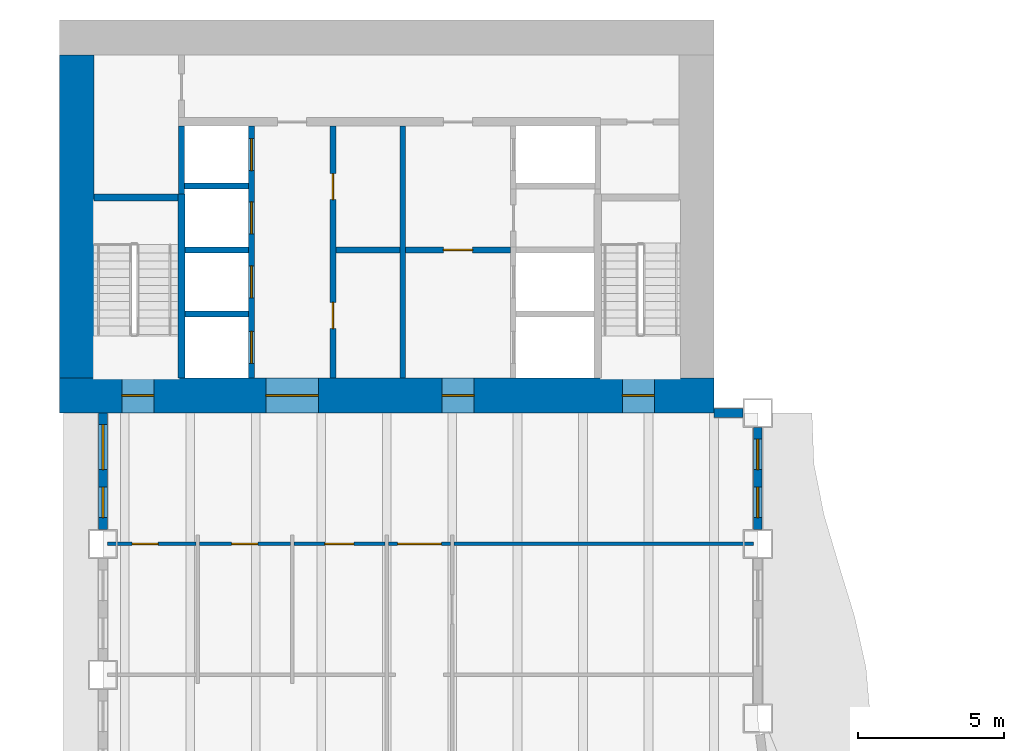
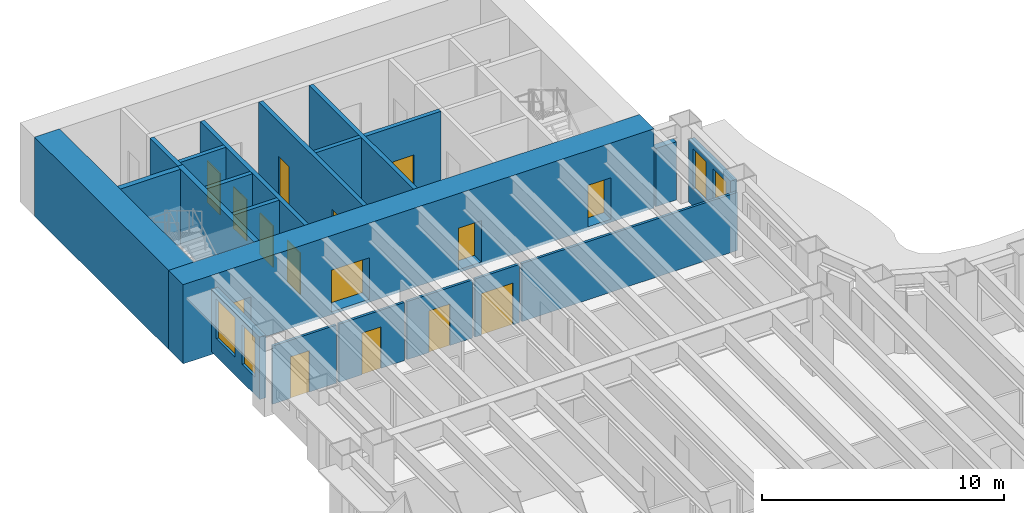
# One storey, part 8 of 16: 21 walls, 15 doors, 4 windows, 19 openings.
"""IFC4 building model written with IfcOpenShell, lengths in metres."""

from ifc_helpers import new_model, si_unit, direction, frame, frame_2d, origin, place, context, subcontext, project, spatial, rectangle, extrude, material, layer, layer_set, type_object, element, fill, save


model = new_model("IFC4")

# Units and contexts
model_context = context("Model", 3, precision=1e-05, world=origin(), true_north=direction((0.0, 1.0)))
body_context = subcontext(model_context, "Body", "Model", "MODEL_VIEW")
ifc_project = project(units=[si_unit("LENGTHUNIT", "METRE"), si_unit("AREAUNIT", "SQUARE_METRE"), si_unit("VOLUMEUNIT", "CUBIC_METRE"), si_unit("PLANEANGLEUNIT", "RADIAN"), si_unit("MASSUNIT", "GRAM", prefix="KILO")], contexts=[model_context])

# Site, building, storey
site_placement = place(None, origin())
site = spatial("IfcSite", under=ifc_project, at=site_placement, CompositionType="ELEMENT")
building_placement = place(site_placement, origin())
building = spatial("IfcBuilding", under=site, at=building_placement, Name="Sennacour Bend Tower", CompositionType="ELEMENT")
storey_placement = place(building_placement, frame((0.0, 0.0, 83.0)))
storey = spatial("IfcBuildingStorey", under=building, at=storey_placement, Name="L18", CompositionType="ELEMENT", Elevation=83.0)

# Wall, openings, doors
ifc_material_1 = material(Name="Concrete C80/95", Category="concrete")
ifc_layer_1 = layer(ifc_material_1, 1.199951171875, Name="Concrete C80/95", Category="concrete")
ifc_layer_set_1 = layer_set([ifc_layer_1], Name="Concrete C80/95")
wall_type_1 = type_object("IfcWallType", Name="Core wall 1200 C80/95", PredefinedType="SHEAR", material=ifc_layer_set_1)
wall_1_placement = place(storey_placement, frame((0.0, 36.60009765625, -0.14990234375), z_axis=(0.0, 0.0, 1.0), x_axis=(1.0, 0.0, 0.0)))
wall_1 = element("IfcWall", 1, at=wall_1_placement, inside=storey, type_object=wall_type_1, Name="Core B wall L18 S", PredefinedType="SHEAR", context=body_context, shape_type="SweptSolid", body=[
    extrude(rectangle(XDim=22.5, YDim=1.199951171875, at=frame_2d((11.25, 0.0))), origin(), (0.0, 0.0, 1.0), 4.0),
])
opening_1_placement = place(wall_1_placement, frame((7.10009765625, 0.0, 0.14990234375)))
opening_1 = element("IfcOpeningElement", 2, at=opening_1_placement, cuts=wall_1, Name="Opening CD", PredefinedType="OPENING", context=body_context, shape_type="SweptSolid", body=[
    extrude(rectangle(XDim=1.800048828125, YDim=2.10009765625, at=frame_2d((0.89990234375, 1.050048828125))), frame((0.0, 0.60986328125, 0.0), z_axis=(0.0, -1.0, 0.0), x_axis=(1.0, 0.0, 0.0)), (0.0, 0.0, 1.0), 1.219970703125),
])
opening_2_placement = place(wall_1_placement, frame((13.14990234375, 0.0, 0.14990234375)))
opening_2 = element("IfcOpeningElement", 3, at=opening_2_placement, cuts=wall_1, Name="Opening FD", PredefinedType="OPENING", context=body_context, shape_type="SweptSolid", body=[
    extrude(rectangle(XDim=1.10009765625, YDim=2.10009765625, at=frame_2d((0.550048828125, 1.050048828125))), frame((0.0, 0.60986328125, 0.0), z_axis=(0.0, -1.0, 0.0), x_axis=(1.0, 0.0, 0.0)), (0.0, 0.0, 1.0), 1.219970703125),
])
opening_3_placement = place(wall_1_placement, frame((2.14990234375, 0.0, 0.14990234375)))
opening_3 = element("IfcOpeningElement", 4, at=opening_3_placement, cuts=wall_1, Name="Opening SD", PredefinedType="OPENING", context=body_context, shape_type="SweptSolid", body=[
    extrude(rectangle(XDim=1.10009765625, YDim=2.10009765625, at=frame_2d((0.550048828125, 1.050048828125))), frame((0.0, 0.60986328125, 0.0), z_axis=(0.0, -1.0, 0.0), x_axis=(1.0, 0.0, 0.0)), (0.0, 0.0, 1.0), 1.219970703125),
])
opening_4_placement = place(wall_1_placement, frame((19.35009765625, 0.0, 0.14990234375)))
opening_4 = element("IfcOpeningElement", 5, at=opening_4_placement, cuts=wall_1, Name="Opening SD", PredefinedType="OPENING", context=body_context, shape_type="SweptSolid", body=[
    extrude(rectangle(XDim=1.10009765625, YDim=2.10009765625, at=frame_2d((0.550048828125, 1.050048828125))), frame((0.0, 0.60986328125, 0.0), z_axis=(0.0, -1.0, 0.0), x_axis=(1.0, 0.0, 0.0)), (0.0, 0.0, 1.0), 1.219970703125),
])
ifc_material_2 = material(Name="Painted steel", Category="steel")
door_type_1 = type_object("IfcDoorType", Name="DR-FFL-1100", OperationType="NOTDEFINED", PredefinedType="DOOR", material=ifc_material_2)
door_1_placement = place(opening_2_placement, origin())
door_1 = element("IfcDoor", 6, at=door_1_placement, inside=storey, type_object=door_type_1, Name="Door", OperationType="SINGLE_SWING_RIGHT", OverallHeight=2.10009765625, OverallWidth=1.10009765625, PredefinedType="DOOR", context=body_context, shape_type="SweptSolid", body=[
    extrude(rectangle(XDim=1.10009765625, YDim=2.10009765625, at=frame_2d((0.550048828125, 1.050048828125))), frame((0.0, 0.02490234375, 0.0), z_axis=(0.0, -1.0, 0.0), x_axis=(1.0, 0.0, 0.0)), (0.0, 0.0, 1.0), 0.050048828125),
])
fill(opening_2, door_1)
door_type_2 = type_object("IfcDoorType", Name="DR-LOBBY-1800", OperationType="NOTDEFINED", PredefinedType="DOOR", material=ifc_material_2)
door_2_placement = place(opening_1_placement, origin())
door_2 = element("IfcDoor", 7, at=door_2_placement, inside=storey, type_object=door_type_2, Name="Door", OperationType="DOUBLE_DOOR_SINGLE_SWING", OverallHeight=2.10009765625, OverallWidth=1.800048828125, PredefinedType="DOOR", context=body_context, shape_type="SweptSolid", body=[
    extrude(rectangle(XDim=1.800048828125, YDim=2.10009765625, at=frame_2d((0.89990234375, 1.050048828125))), frame((0.0, 0.02490234375, 0.0), z_axis=(0.0, -1.0, 0.0), x_axis=(1.0, 0.0, 0.0)), (0.0, 0.0, 1.0), 0.050048828125),
])
fill(opening_1, door_2)
door_type_3 = type_object("IfcDoorType", Name="DR-STAIR-1100", OperationType="NOTDEFINED", PredefinedType="DOOR", material=ifc_material_2)
door_3_placement = place(opening_3_placement, origin())
door_3 = element("IfcDoor", 8, at=door_3_placement, inside=storey, type_object=door_type_3, Name="Door", OperationType="SINGLE_SWING_LEFT", OverallHeight=2.10009765625, OverallWidth=1.10009765625, PredefinedType="DOOR", context=body_context, shape_type="SweptSolid", body=[
    extrude(rectangle(XDim=1.10009765625, YDim=2.10009765625, at=frame_2d((0.550048828125, 1.050048828125))), frame((0.0, 0.02490234375, 0.0), z_axis=(0.0, -1.0, 0.0), x_axis=(1.0, 0.0, 0.0)), (0.0, 0.0, 1.0), 0.050048828125),
])
fill(opening_3, door_3)
door_4_placement = place(opening_4_placement, origin())
door_4 = element("IfcDoor", 9, at=door_4_placement, inside=storey, type_object=door_type_3, Name="Door", OperationType="SINGLE_SWING_RIGHT", OverallHeight=2.10009765625, OverallWidth=1.10009765625, PredefinedType="DOOR", context=body_context, shape_type="SweptSolid", body=[
    extrude(rectangle(XDim=1.10009765625, YDim=2.10009765625, at=frame_2d((0.550048828125, 1.050048828125))), frame((0.0, 0.02490234375, 0.0), z_axis=(0.0, -1.0, 0.0), x_axis=(1.0, 0.0, 0.0)), (0.0, 0.0, 1.0), 0.050048828125),
])
fill(opening_4, door_4)

# Wall
wall_2_placement = place(storey_placement, frame((0.60009765625, 37.199951171875, -0.14990234375), z_axis=(0.0, 0.0, 1.0), x_axis=(0.0, 1.0, 0.0)))
element("IfcWall", 10, at=wall_2_placement, inside=storey, type_object=wall_type_1, Name="Core B wall L18 W", PredefinedType="SHEAR", context=body_context, shape_type="SweptSolid", body=[
    extrude(rectangle(XDim=11.10009765625, YDim=1.199951171875, at=frame_2d((5.550048828125, 0.0))), origin(), (0.0, 0.0, 1.0), 4.0),
])

# Wall, opening, door
ifc_material_3 = material(Name="Plasterboard partition on steel studs", Category="steel")
ifc_layer_2 = layer(ifc_material_3, 0.1201171875, Name="Plasterboard partition on steel studs", Category="steel")
ifc_layer_set_2 = layer_set([ifc_layer_2], Name="Plasterboard partition on steel studs")
wall_type_2 = type_object("IfcWallType", Name="Partition 120", PredefinedType="PARTITIONING", material=ifc_layer_set_2)
wall_3_placement = place(storey_placement, frame((1.64990234375, 31.5, 0.0), z_axis=(0.0, 0.0, 1.0), x_axis=(1.0, 0.0, 0.0)))
wall_3 = element("IfcWall", 11, at=wall_3_placement, inside=storey, type_object=wall_type_2, Name="P-L18-W072aa", PredefinedType="PARTITIONING", context=body_context, shape_type="SweptSolid", body=[
    extrude(rectangle(XDim=3.0400390625, YDim=0.1201171875, at=frame_2d((1.52001953125, 0.0))), origin(), (0.0, 0.0, 1.0), 2.93798828125),
])
opening_5_placement = place(wall_3_placement, frame((0.85009765625, 0.0, 0.0)))
opening_5 = element("IfcOpeningElement", 12, at=opening_5_placement, cuts=wall_3, Name="Opening WD", PredefinedType="OPENING", context=body_context, shape_type="SweptSolid", body=[
    extrude(rectangle(XDim=0.89990234375, YDim=2.10009765625, at=frame_2d((0.449951171875, 1.050048828125))), frame((0.0, 0.070068359375, 0.0), z_axis=(0.0, -1.0, 0.0), x_axis=(1.0, 0.0, 0.0)), (0.0, 0.0, 1.0), 0.14013671875),
])
ifc_material_4 = material(Name="Timber", Category="wood")
door_type_4 = type_object("IfcDoorType", Name="DR-WC-900", OperationType="NOTDEFINED", PredefinedType="DOOR", material=ifc_material_4)
door_5_placement = place(opening_5_placement, origin())
door_5 = element("IfcDoor", 13, at=door_5_placement, inside=storey, type_object=door_type_4, Name="Door", OperationType="SINGLE_SWING_LEFT", OverallHeight=2.10009765625, OverallWidth=0.89990234375, PredefinedType="DOOR", context=body_context, shape_type="SweptSolid", body=[
    extrude(rectangle(XDim=0.89990234375, YDim=2.10009765625, at=frame_2d((0.449951171875, 1.050048828125))), frame((0.0, 0.02490234375, 0.0), z_axis=(0.0, -1.0, 0.0), x_axis=(1.0, 0.0, 0.0)), (0.0, 0.0, 1.0), 0.050048828125),
])
fill(opening_5, door_5)

wall_4_placement = place(storey_placement, frame((4.81005859375, 31.5, 0.0), z_axis=(0.0, 0.0, 1.0), x_axis=(1.0, 0.0, 0.0)))
wall_4 = element("IfcWall", 14, at=wall_4_placement, inside=storey, type_object=wall_type_2, Name="P-L18-W072ab", PredefinedType="PARTITIONING", context=body_context, shape_type="SweptSolid", body=[
    extrude(rectangle(XDim=3.1298828125, YDim=0.1201171875, at=frame_2d((1.56494140625, 0.0))), origin(), (0.0, 0.0, 1.0), 2.93798828125),
])
opening_6_placement = place(wall_4_placement, frame((1.114990234375, 0.0, 0.0)))
opening_6 = element("IfcOpeningElement", 15, at=opening_6_placement, cuts=wall_4, Name="Opening WD", PredefinedType="OPENING", context=body_context, shape_type="SweptSolid", body=[
    extrude(rectangle(XDim=0.89990234375, YDim=2.10009765625, at=frame_2d((0.449951171875, 1.050048828125))), frame((0.0, 0.070068359375, 0.0), z_axis=(0.0, -1.0, 0.0), x_axis=(1.0, 0.0, 0.0)), (0.0, 0.0, 1.0), 0.14013671875),
])
door_6_placement = place(opening_6_placement, origin())
door_6 = element("IfcDoor", 16, at=door_6_placement, inside=storey, type_object=door_type_4, Name="Door", OperationType="SINGLE_SWING_LEFT", OverallHeight=2.10009765625, OverallWidth=0.89990234375, PredefinedType="DOOR", context=body_context, shape_type="SweptSolid", body=[
    extrude(rectangle(XDim=0.89990234375, YDim=2.10009765625, at=frame_2d((0.449951171875, 1.050048828125))), frame((0.0, 0.02490234375, 0.0), z_axis=(0.0, -1.0, 0.0), x_axis=(1.0, 0.0, 0.0)), (0.0, 0.0, 1.0), 0.050048828125),
])
fill(opening_6, door_6)

wall_5_placement = place(storey_placement, frame((8.06005859375, 31.5, 0.0), z_axis=(0.0, 0.0, 1.0), x_axis=(1.0, 0.0, 0.0)))
wall_5 = element("IfcWall", 17, at=wall_5_placement, inside=storey, type_object=wall_type_2, Name="P-L18-W072ac", PredefinedType="PARTITIONING", context=body_context, shape_type="SweptSolid", body=[
    extrude(rectangle(XDim=3.1298828125, YDim=0.1201171875, at=frame_2d((1.56494140625, 0.0))), origin(), (0.0, 0.0, 1.0), 2.93798828125),
])
opening_7_placement = place(wall_5_placement, frame((1.06494140625, 0.0, 0.0)))
opening_7 = element("IfcOpeningElement", 18, at=opening_7_placement, cuts=wall_5, Name="Opening AD", PredefinedType="OPENING", context=body_context, shape_type="SweptSolid", body=[
    extrude(rectangle(XDim=1.0, YDim=2.10009765625, at=frame_2d((0.5, 1.050048828125))), frame((0.0, 0.070068359375, 0.0), z_axis=(0.0, -1.0, 0.0), x_axis=(1.0, 0.0, 0.0)), (0.0, 0.0, 1.0), 0.14013671875),
])
door_type_5 = type_object("IfcDoorType", Name="DR-ACC-WC-1000", OperationType="NOTDEFINED", PredefinedType="DOOR", material=ifc_material_4)
door_7_placement = place(opening_7_placement, origin())
door_7 = element("IfcDoor", 19, at=door_7_placement, inside=storey, type_object=door_type_5, Name="Door", OperationType="SINGLE_SWING_LEFT", OverallHeight=2.10009765625, OverallWidth=1.0, PredefinedType="DOOR", context=body_context, shape_type="SweptSolid", body=[
    extrude(rectangle(XDim=1.0, YDim=2.10009765625, at=frame_2d((0.5, 1.050048828125))), frame((0.0, 0.02490234375, 0.0), z_axis=(0.0, -1.0, 0.0), x_axis=(1.0, 0.0, 0.0)), (0.0, 0.0, 1.0), 0.050048828125),
])
fill(opening_7, door_7)

# Wall
wall_6_placement = place(storey_placement, frame((13.56005859375, 31.5, 0.0), z_axis=(0.0, 0.0, 1.0), x_axis=(1.0, 0.0, 0.0)))
element("IfcWall", 20, at=wall_6_placement, inside=storey, type_object=wall_type_2, Name="P-L18-W072ae", PredefinedType="PARTITIONING", context=body_context, shape_type="SweptSolid", body=[
    extrude(rectangle(XDim=10.2900390625, YDim=0.1201171875, at=frame_2d((5.14501953125, 0.0))), origin(), (0.0, 0.0, 1.0), 2.93798828125),
])

# Wall, opening, door
ifc_layer_3 = layer(ifc_material_3, 0.1201171875, Name="Plasterboard partition on steel studs", Category="steel")
ifc_layer_set_3 = layer_set([ifc_layer_3], Name="Plasterboard partition on steel studs")
wall_type_3 = type_object("IfcWallType", Name="Partition 120 EI 30", PredefinedType="PARTITIONING", material=ifc_layer_set_3)
wall_7_placement = place(storey_placement, frame((11.31005859375, 31.5, 0.0), z_axis=(0.0, 0.0, 1.0), x_axis=(1.0, 0.0, 0.0)))
wall_7 = element("IfcWall", 21, at=wall_7_placement, inside=storey, type_object=wall_type_3, Name="P-L18-W072ad", PredefinedType="PARTITIONING", context=body_context, shape_type="SweptSolid", body=[
    extrude(rectangle(XDim=2.1298828125, YDim=0.1201171875, at=frame_2d((1.06494140625, 0.0))), origin(), (0.0, 0.0, 1.0), 2.93798828125),
])
opening_8_placement = place(wall_7_placement, frame((0.31494140625, 0.0, 0.0)))
opening_8 = element("IfcOpeningElement", 22, at=opening_8_placement, cuts=wall_7, Name="Opening KD", PredefinedType="OPENING", context=body_context, shape_type="SweptSolid", body=[
    extrude(rectangle(XDim=1.5, YDim=2.10009765625, at=frame_2d((0.75, 1.050048828125))), frame((0.0, 0.070068359375, 0.0), z_axis=(0.0, -1.0, 0.0), x_axis=(1.0, 0.0, 0.0)), (0.0, 0.0, 1.0), 0.14013671875),
])
door_type_6 = type_object("IfcDoorType", Name="DR-CORRIDOR-1500", OperationType="NOTDEFINED", PredefinedType="DOOR", material=ifc_material_2)
door_8_placement = place(opening_8_placement, origin())
door_8 = element("IfcDoor", 23, at=door_8_placement, inside=storey, type_object=door_type_6, Name="Door", OperationType="SINGLE_SWING_LEFT", OverallHeight=2.10009765625, OverallWidth=1.5, PredefinedType="DOOR", context=body_context, shape_type="SweptSolid", body=[
    extrude(rectangle(XDim=1.5, YDim=2.10009765625, at=frame_2d((0.75, 1.050048828125))), frame((0.0, 0.02490234375, 0.0), z_axis=(0.0, -1.0, 0.0), x_axis=(1.0, 0.0, 0.0)), (0.0, 0.0, 1.0), 0.050048828125),
])
fill(opening_8, door_8)

# Wall, openings, doors
ifc_material_5 = material(Name="Fire-rated plasterboard partition on steel studs", Category="steel")
ifc_layer_4 = layer(ifc_material_5, 0.199951171875, Name="Fire-rated plasterboard partition on steel studs", Category="steel")
ifc_layer_set_4 = layer_set([ifc_layer_4], Name="Fire-rated plasterboard partition on steel studs")
wall_type_4 = type_object("IfcWallType", Name="Rated partition 200", PredefinedType="PARTITIONING", material=ifc_layer_set_4)
wall_8_placement = place(storey_placement, frame((9.39990234375, 37.199951171875, 0.0), z_axis=(0.0, 0.0, 1.0), x_axis=(0.0, 1.0, 0.0)))
wall_8 = element("IfcWall", 24, at=wall_8_placement, inside=storey, type_object=wall_type_4, Name="P-L18-W013", PredefinedType="PARTITIONING", context=body_context, shape_type="SweptSolid", body=[
    extrude(rectangle(XDim=8.650146484375, YDim=0.199951171875, at=frame_2d((4.3251953125, 0.0))), origin(), (0.0, 0.0, 1.0), 3.85009765625),
])
opening_9_placement = place(wall_8_placement, frame((1.699951171875, 0.0, 0.0)))
opening_9 = element("IfcOpeningElement", 25, at=opening_9_placement, cuts=wall_8, Name="Opening SV", PredefinedType="OPENING", context=body_context, shape_type="SweptSolid", body=[
    extrude(rectangle(XDim=0.89990234375, YDim=2.10009765625, at=frame_2d((0.449951171875, 1.050048828125))), frame((0.0, 0.10986328125, 0.0), z_axis=(0.0, -1.0, 0.0), x_axis=(1.0, 0.0, 0.0)), (0.0, 0.0, 1.0), 0.219970703125),
])
opening_10_placement = place(wall_8_placement, frame((6.125, 0.0, 0.0)))
opening_10 = element("IfcOpeningElement", 26, at=opening_10_placement, cuts=wall_8, Name="Opening SV", PredefinedType="OPENING", context=body_context, shape_type="SweptSolid", body=[
    extrude(rectangle(XDim=0.89990234375, YDim=2.10009765625, at=frame_2d((0.449951171875, 1.050048828125))), frame((0.0, 0.10986328125, 0.0), z_axis=(0.0, -1.0, 0.0), x_axis=(1.0, 0.0, 0.0)), (0.0, 0.0, 1.0), 0.219970703125),
])
door_type_7 = type_object("IfcDoorType", Name="DR-SERVICE-900", OperationType="NOTDEFINED", PredefinedType="DOOR", material=ifc_material_2)
door_9_placement = place(opening_9_placement, origin())
door_9 = element("IfcDoor", 27, at=door_9_placement, inside=storey, type_object=door_type_7, Name="Door", OperationType="SINGLE_SWING_LEFT", OverallHeight=2.10009765625, OverallWidth=0.89990234375, PredefinedType="DOOR", context=body_context, shape_type="SweptSolid", body=[
    extrude(rectangle(XDim=0.89990234375, YDim=2.10009765625, at=frame_2d((0.449951171875, 1.050048828125))), frame((0.0, 0.02490234375, 0.0), z_axis=(0.0, -1.0, 0.0), x_axis=(1.0, 0.0, 0.0)), (0.0, 0.0, 1.0), 0.050048828125),
])
fill(opening_9, door_9)
door_10_placement = place(opening_10_placement, origin())
door_10 = element("IfcDoor", 28, at=door_10_placement, inside=storey, type_object=door_type_7, Name="Door", OperationType="SINGLE_SWING_RIGHT", OverallHeight=2.10009765625, OverallWidth=0.89990234375, PredefinedType="DOOR", context=body_context, shape_type="SweptSolid", body=[
    extrude(rectangle(XDim=0.89990234375, YDim=2.10009765625, at=frame_2d((0.449951171875, 1.050048828125))), frame((0.0, 0.02490234375, 0.0), z_axis=(0.0, -1.0, 0.0), x_axis=(1.0, 0.0, 0.0)), (0.0, 0.0, 1.0), 0.050048828125),
])
fill(opening_10, door_10)

# Walls
wall_9_placement = place(storey_placement, frame((11.800048828125, 37.199951171875, 0.0), z_axis=(0.0, 0.0, 1.0), x_axis=(0.0, 1.0, 0.0)))
element("IfcWall", 29, at=wall_9_placement, inside=storey, type_object=wall_type_4, Name="P-L18-W015", PredefinedType="PARTITIONING", context=body_context, shape_type="SweptSolid", body=[
    extrude(rectangle(XDim=8.650146484375, YDim=0.199951171875, at=frame_2d((4.3251953125, 0.0))), origin(), (0.0, 0.0, 1.0), 3.85009765625),
])
wall_10_placement = place(storey_placement, frame((9.5, 41.60009765625, 0.0), z_axis=(0.0, 0.0, 1.0), x_axis=(1.0, 0.0, 0.0)))
element("IfcWall", 30, at=wall_10_placement, inside=storey, type_object=wall_type_4, Name="P-L18-W077a", PredefinedType="PARTITIONING", context=body_context, shape_type="SweptSolid", body=[
    extrude(rectangle(XDim=2.199951171875, YDim=0.199951171875, at=frame_2d((1.10009765625, 0.0))), origin(), (0.0, 0.0, 1.0), 3.85009765625),
])

# Wall, opening, door
ifc_layer_5 = layer(ifc_material_5, 0.199951171875, Name="Fire-rated plasterboard partition on steel studs", Category="steel")
ifc_layer_set_5 = layer_set([ifc_layer_5], Name="Fire-rated plasterboard partition on steel studs")
wall_type_5 = type_object("IfcWallType", Name="Rated partition 200 EI 90", PredefinedType="PARTITIONING", material=ifc_layer_set_5)
wall_11_placement = place(storey_placement, frame((11.89990234375, 41.60009765625, 0.0), z_axis=(0.0, 0.0, 1.0), x_axis=(1.0, 0.0, 0.0)))
wall_11 = element("IfcWall", 31, at=wall_11_placement, inside=storey, type_object=wall_type_5, Name="P-L18-W077b", PredefinedType="PARTITIONING", context=body_context, shape_type="SweptSolid", body=[
    extrude(rectangle(XDim=3.60009765625, YDim=0.199951171875, at=frame_2d((1.800048828125, 0.0))), origin(), (0.0, 0.0, 1.0), 3.85009765625),
])
opening_11_placement = place(wall_11_placement, frame((1.300048828125, 0.0, 0.0)))
opening_11 = element("IfcOpeningElement", 32, at=opening_11_placement, cuts=wall_11, Name="Opening FD2", PredefinedType="OPENING", context=body_context, shape_type="SweptSolid", body=[
    extrude(rectangle(XDim=1.0, YDim=2.10009765625, at=frame_2d((0.5, 1.050048828125))), frame((0.0, 0.10986328125, 0.0), z_axis=(0.0, -1.0, 0.0), x_axis=(1.0, 0.0, 0.0)), (0.0, 0.0, 1.0), 0.219970703125),
])
door_type_8 = type_object("IfcDoorType", Name="DR-FFL-1000", OperationType="NOTDEFINED", PredefinedType="DOOR", material=ifc_material_2)
door_11_placement = place(opening_11_placement, origin())
door_11 = element("IfcDoor", 33, at=door_11_placement, inside=storey, type_object=door_type_8, Name="Door", OperationType="SINGLE_SWING_RIGHT", OverallHeight=2.10009765625, OverallWidth=1.0, PredefinedType="DOOR", context=body_context, shape_type="SweptSolid", body=[
    extrude(rectangle(XDim=1.0, YDim=2.10009765625, at=frame_2d((0.5, 1.050048828125))), frame((0.0, 0.02490234375, 0.0), z_axis=(0.0, -1.0, 0.0), x_axis=(1.0, 0.0, 0.0)), (0.0, 0.0, 1.0), 0.050048828125),
])
fill(opening_11, door_11)

# Wall, openings, windows
ifc_material_6 = material(Name="Warm limestone cladding", Category="masonry")
ifc_layer_6 = layer(ifc_material_6, 0.050048828125, Name="Warm limestone cladding", Category="masonry")
ifc_material_7 = material(Name="Precast concrete C40/50", Category="concrete")
ifc_layer_7 = layer(ifc_material_7, 0.25, Name="Precast concrete C40/50", Category="concrete")
ifc_layer_set_6 = layer_set([ifc_layer_6, ifc_layer_7], Name="Precast concrete C40/50 with limestone cladding")
wall_type_6 = type_object("IfcWallType", Name="STONE-CLAD PRECAST SPANDREL 300", PredefinedType="STANDARD", material=ifc_layer_set_6)
wall_12_placement = place(storey_placement, frame((24.0, 32.0, 0.0), z_axis=(0.0, 0.0, 1.0), x_axis=(0.0, 1.0, 0.0)))
wall_12 = element("IfcWall", 34, at=wall_12_placement, inside=storey, type_object=wall_type_6, Name="Stone spandrel and pier wall L18 13.01", PredefinedType="STANDARD", context=body_context, shape_type="SweptSolid", body=[
    extrude(rectangle(XDim=3.5, YDim=0.300048828125, at=frame_2d((1.75, 0.0))), origin(), (0.0, 0.0, 1.0), 3.154052734375),
])
opening_12_placement = place(wall_12_placement, frame((0.39990234375, 0.0, 0.89990234375)))
opening_12 = element("IfcOpeningElement", 35, at=opening_12_placement, cuts=wall_12, Name="Opening W13", PredefinedType="OPENING", context=body_context, shape_type="SweptSolid", body=[
    extrude(rectangle(XDim=1.050048828125, YDim=2.0, at=frame_2d((0.52490234375, 1.0))), frame((0.0, 0.16015625, 0.0), z_axis=(0.0, -1.0, 0.0), x_axis=(1.0, 0.0, 0.0)), (0.0, 0.0, 1.0), 0.320068359375),
])
opening_13_placement = place(wall_12_placement, frame((2.050048828125, 0.0, 0.89990234375)))
opening_13 = element("IfcOpeningElement", 36, at=opening_13_placement, cuts=wall_12, Name="Opening W13", PredefinedType="OPENING", context=body_context, shape_type="SweptSolid", body=[
    extrude(rectangle(XDim=1.050048828125, YDim=2.0, at=frame_2d((0.52490234375, 1.0))), frame((0.0, 0.16015625, 0.0), z_axis=(0.0, -1.0, 0.0), x_axis=(1.0, 0.0, 0.0)), (0.0, 0.0, 1.0), 0.320068359375),
])
ifc_material_8 = material(Name="Clear low-emissivity glass", Category="glass")
window_type_1 = type_object("IfcWindowType", Name="WIN-RIBBON-1050x2000", PartitioningType="SINGLE_PANEL", PredefinedType="WINDOW", material=ifc_material_8)
window_1_placement = place(opening_12_placement, origin())
window_1 = element("IfcWindow", 37, at=window_1_placement, inside=storey, type_object=window_type_1, Name="Ribbon window L18 13.01.0", OverallHeight=2.0, OverallWidth=1.050048828125, PartitioningType="SINGLE_PANEL", PredefinedType="WINDOW", context=body_context, shape_type="SweptSolid", body=[
    extrude(rectangle(XDim=1.050048828125, YDim=2.0, at=frame_2d((0.52490234375, 1.0))), frame((0.0, 0.030029296875, 0.0), z_axis=(0.0, -1.0, 0.0), x_axis=(1.0, 0.0, 0.0)), (0.0, 0.0, 1.0), 0.06005859375),
])
fill(opening_12, window_1)
window_2_placement = place(opening_13_placement, origin())
window_2 = element("IfcWindow", 38, at=window_2_placement, inside=storey, type_object=window_type_1, Name="Ribbon window L18 13.01.1", OverallHeight=2.0, OverallWidth=1.050048828125, PartitioningType="SINGLE_PANEL", PredefinedType="WINDOW", context=body_context, shape_type="SweptSolid", body=[
    extrude(rectangle(XDim=1.050048828125, YDim=2.0, at=frame_2d((0.52490234375, 1.0))), frame((0.0, 0.030029296875, 0.0), z_axis=(0.0, -1.0, 0.0), x_axis=(1.0, 0.0, 0.0)), (0.0, 0.0, 1.0), 0.06005859375),
])
fill(opening_13, window_2)

# Wall
wall_13_placement = place(storey_placement, frame((23.5, 36.0, 0.0), z_axis=(0.0, 0.0, 1.0), x_axis=(-1.0, 0.0, 0.0)))
element("IfcWall", 39, at=wall_13_placement, inside=storey, type_object=wall_type_6, Name="Stone spandrel and pier wall L18 14.00", PredefinedType="STANDARD", context=body_context, shape_type="SweptSolid", body=[
    extrude(rectangle(XDim=1.0, YDim=0.300048828125, at=frame_2d((0.5, 0.0))), origin(), (0.0, 0.0, 1.0), 2.93798828125),
])

# Wall, openings, windows
wall_14_placement = place(storey_placement, frame((1.5, 36.0, 0.0), z_axis=(0.0, 0.0, 1.0), x_axis=(0.0, -1.0, 0.0)))
wall_14 = element("IfcWall", 40, at=wall_14_placement, inside=storey, type_object=wall_type_6, Name="Stone spandrel and pier wall L18 19.00", PredefinedType="STANDARD", context=body_context, shape_type="SweptSolid", body=[
    extrude(rectangle(XDim=4.0, YDim=0.300048828125, at=frame_2d((2.0, 0.0))), origin(), (0.0, 0.0, 1.0), 3.154052734375),
])
opening_14_placement = place(wall_14_placement, frame((0.39990234375, 0.0, 0.89990234375)))
opening_14 = element("IfcOpeningElement", 41, at=opening_14_placement, cuts=wall_14, Name="Opening W9", PredefinedType="OPENING", context=body_context, shape_type="SweptSolid", body=[
    extrude(rectangle(XDim=1.550048828125, YDim=2.0, at=frame_2d((0.77490234375, 1.0))), frame((0.0, 0.16015625, 0.0), z_axis=(0.0, -1.0, 0.0), x_axis=(1.0, 0.0, 0.0)), (0.0, 0.0, 1.0), 0.320068359375),
])
opening_15_placement = place(wall_14_placement, frame((2.550048828125, 0.0, 0.89990234375)))
opening_15 = element("IfcOpeningElement", 42, at=opening_15_placement, cuts=wall_14, Name="Opening W13", PredefinedType="OPENING", context=body_context, shape_type="SweptSolid", body=[
    extrude(rectangle(XDim=1.050048828125, YDim=2.0, at=frame_2d((0.52490234375, 1.0))), frame((0.0, 0.16015625, 0.0), z_axis=(0.0, -1.0, 0.0), x_axis=(1.0, 0.0, 0.0)), (0.0, 0.0, 1.0), 0.320068359375),
])
window_3_placement = place(opening_15_placement, origin())
window_3 = element("IfcWindow", 43, at=window_3_placement, inside=storey, type_object=window_type_1, Name="Ribbon window L18 19.00.1", OverallHeight=2.0, OverallWidth=1.050048828125, PartitioningType="SINGLE_PANEL", PredefinedType="WINDOW", context=body_context, shape_type="SweptSolid", body=[
    extrude(rectangle(XDim=1.050048828125, YDim=2.0, at=frame_2d((0.52490234375, 1.0))), frame((0.0, 0.030029296875, 0.0), z_axis=(0.0, -1.0, 0.0), x_axis=(1.0, 0.0, 0.0)), (0.0, 0.0, 1.0), 0.06005859375),
])
fill(opening_15, window_3)
window_type_2 = type_object("IfcWindowType", Name="WIN-RIBBON-1550x2000", PartitioningType="SINGLE_PANEL", PredefinedType="WINDOW", material=ifc_material_8)
window_4_placement = place(opening_14_placement, origin())
window_4 = element("IfcWindow", 44, at=window_4_placement, inside=storey, type_object=window_type_2, Name="Ribbon window L18 19.00.0", OverallHeight=2.0, OverallWidth=1.550048828125, PartitioningType="SINGLE_PANEL", PredefinedType="WINDOW", context=body_context, shape_type="SweptSolid", body=[
    extrude(rectangle(XDim=1.550048828125, YDim=2.0, at=frame_2d((0.77490234375, 1.0))), frame((0.0, 0.030029296875, 0.0), z_axis=(0.0, -1.0, 0.0), x_axis=(1.0, 0.0, 0.0)), (0.0, 0.0, 1.0), 0.06005859375),
])
fill(opening_14, window_4)

# Wall
ifc_material_9 = material(Name="Concrete C50/60", Category="concrete")
ifc_layer_8 = layer(ifc_material_9, 0.199951171875, Name="Concrete C50/60", Category="concrete")
ifc_layer_set_7 = layer_set([ifc_layer_8], Name="Concrete C50/60")
wall_type_7 = type_object("IfcWallType", Name="Shaft wall 200", PredefinedType="SOLIDWALL", material=ifc_layer_set_7)
wall_15_placement = place(storey_placement, frame((4.199951171875, 43.52490234375, 0.0), z_axis=(0.0, 0.0, 1.0), x_axis=(0.0, 1.0, 0.0)))
element("IfcWall", 45, at=wall_15_placement, inside=storey, type_object=wall_type_7, Name="P-L18-W005", PredefinedType="SOLIDWALL", context=body_context, shape_type="SweptSolid", body=[
    extrude(rectangle(XDim=2.3251953125, YDim=0.199951171875, at=frame_2d((1.16259765625, 0.0))), origin(), (0.0, 0.0, 1.0), 3.85009765625),
])

# Wall, openings, doors
wall_16_placement = place(storey_placement, frame((6.60009765625, 37.199951171875, 0.0), z_axis=(0.0, 0.0, 1.0), x_axis=(0.0, 1.0, 0.0)))
wall_16 = element("IfcWall", 46, at=wall_16_placement, inside=storey, type_object=wall_type_7, Name="P-L18-W008", PredefinedType="SOLIDWALL", context=body_context, shape_type="SweptSolid", body=[
    extrude(rectangle(XDim=8.650146484375, YDim=0.199951171875, at=frame_2d((4.3251953125, 0.0))), origin(), (0.0, 0.0, 1.0), 3.85009765625),
])
opening_16_placement = place(wall_16_placement, frame((0.5, 0.0, 0.011962890625)))
opening_16 = element("IfcOpeningElement", 47, at=opening_16_placement, cuts=wall_16, Name="Opening LD", PredefinedType="OPENING", context=body_context, shape_type="SweptSolid", body=[
    extrude(rectangle(XDim=1.10009765625, YDim=2.10009765625, at=frame_2d((0.550048828125, 1.050048828125))), frame((0.0, 0.10986328125, 0.0), z_axis=(0.0, -1.0, 0.0), x_axis=(1.0, 0.0, 0.0)), (0.0, 0.0, 1.0), 0.219970703125),
])
opening_17_placement = place(wall_16_placement, frame((2.75, 0.0, 0.011962890625)))
opening_17 = element("IfcOpeningElement", 48, at=opening_17_placement, cuts=wall_16, Name="Opening LD", PredefinedType="OPENING", context=body_context, shape_type="SweptSolid", body=[
    extrude(rectangle(XDim=1.10009765625, YDim=2.10009765625, at=frame_2d((0.550048828125, 1.050048828125))), frame((0.0, 0.10986328125, 0.0), z_axis=(0.0, -1.0, 0.0), x_axis=(1.0, 0.0, 0.0)), (0.0, 0.0, 1.0), 0.219970703125),
])
opening_18_placement = place(wall_16_placement, frame((4.949951171875, 0.0, 0.011962890625)))
opening_18 = element("IfcOpeningElement", 49, at=opening_18_placement, cuts=wall_16, Name="Opening LD", PredefinedType="OPENING", context=body_context, shape_type="SweptSolid", body=[
    extrude(rectangle(XDim=1.10009765625, YDim=2.10009765625, at=frame_2d((0.550048828125, 1.050048828125))), frame((0.0, 0.10986328125, 0.0), z_axis=(0.0, -1.0, 0.0), x_axis=(1.0, 0.0, 0.0)), (0.0, 0.0, 1.0), 0.219970703125),
])
opening_19_placement = place(wall_16_placement, frame((7.125, 0.0, 0.011962890625)))
opening_19 = element("IfcOpeningElement", 50, at=opening_19_placement, cuts=wall_16, Name="Opening LD", PredefinedType="OPENING", context=body_context, shape_type="SweptSolid", body=[
    extrude(rectangle(XDim=1.10009765625, YDim=2.10009765625, at=frame_2d((0.550048828125, 1.050048828125))), frame((0.0, 0.10986328125, 0.0), z_axis=(0.0, -1.0, 0.0), x_axis=(1.0, 0.0, 0.0)), (0.0, 0.0, 1.0), 0.219970703125),
])
ifc_material_10 = material(Name="Stainless steel", Category="steel")
door_type_9 = type_object("IfcDoorType", Name="DR-LANDING-1100", OperationType="NOTDEFINED", PredefinedType="DOOR", material=ifc_material_10)
door_12_placement = place(opening_16_placement, origin())
door_12 = element("IfcDoor", 51, at=door_12_placement, inside=storey, type_object=door_type_9, Name="Lift landing door LB1", OperationType="SLIDING_TO_RIGHT", OverallHeight=2.10009765625, OverallWidth=1.10009765625, PredefinedType="DOOR", context=body_context, shape_type="SweptSolid", body=[
    extrude(rectangle(XDim=1.10009765625, YDim=2.10009765625, at=frame_2d((0.550048828125, 1.050048828125))), frame((0.0, 0.02490234375, 0.0), z_axis=(0.0, -1.0, 0.0), x_axis=(1.0, 0.0, 0.0)), (0.0, 0.0, 1.0), 0.050048828125),
])
fill(opening_16, door_12)
door_13_placement = place(opening_17_placement, origin())
door_13 = element("IfcDoor", 52, at=door_13_placement, inside=storey, type_object=door_type_9, Name="Lift landing door LB2", OperationType="SLIDING_TO_LEFT", OverallHeight=2.10009765625, OverallWidth=1.10009765625, PredefinedType="DOOR", context=body_context, shape_type="SweptSolid", body=[
    extrude(rectangle(XDim=1.10009765625, YDim=2.10009765625, at=frame_2d((0.550048828125, 1.050048828125))), frame((0.0, 0.02490234375, 0.0), z_axis=(0.0, -1.0, 0.0), x_axis=(1.0, 0.0, 0.0)), (0.0, 0.0, 1.0), 0.050048828125),
])
fill(opening_17, door_13)
door_14_placement = place(opening_18_placement, origin())
door_14 = element("IfcDoor", 53, at=door_14_placement, inside=storey, type_object=door_type_9, Name="Lift landing door LB3", OperationType="SLIDING_TO_RIGHT", OverallHeight=2.10009765625, OverallWidth=1.10009765625, PredefinedType="DOOR", context=body_context, shape_type="SweptSolid", body=[
    extrude(rectangle(XDim=1.10009765625, YDim=2.10009765625, at=frame_2d((0.550048828125, 1.050048828125))), frame((0.0, 0.02490234375, 0.0), z_axis=(0.0, -1.0, 0.0), x_axis=(1.0, 0.0, 0.0)), (0.0, 0.0, 1.0), 0.050048828125),
])
fill(opening_18, door_14)
door_15_placement = place(opening_19_placement, origin())
door_15 = element("IfcDoor", 54, at=door_15_placement, inside=storey, type_object=door_type_9, Name="Lift landing door LB4", OperationType="SLIDING_TO_LEFT", OverallHeight=2.10009765625, OverallWidth=1.10009765625, PredefinedType="DOOR", context=body_context, shape_type="SweptSolid", body=[
    extrude(rectangle(XDim=1.10009765625, YDim=2.10009765625, at=frame_2d((0.550048828125, 1.050048828125))), frame((0.0, 0.02490234375, 0.0), z_axis=(0.0, -1.0, 0.0), x_axis=(1.0, 0.0, 0.0)), (0.0, 0.0, 1.0), 0.050048828125),
])
fill(opening_19, door_15)

# Walls
for number, where, z_axis, x_axis, name in (
    (55, (4.324951171875, 39.39990234375, 0.0), (0.0, 0.0, 1.0), (1.0, 0.0, 0.0), "P-L18-W074"),
    (56, (4.324951171875, 41.60009765625, 0.0), (0.0, 0.0, 1.0), (1.0, 0.0, 0.0), "P-L18-W076"),
):
    element("IfcWall", number, at=place(storey_placement, frame(where, z_axis=z_axis, x_axis=x_axis)), inside=storey, type_object=wall_type_7, Name=name, PredefinedType="SOLIDWALL", context=body_context, shape_type="SweptSolid", body=[
        extrude(rectangle(XDim=2.175048828125, YDim=0.199951171875, at=frame_2d((1.08740234375, 0.0))), origin(), (0.0, 0.0, 1.0), 3.85009765625),
    ])
wall_17_placement = place(storey_placement, frame((4.300048828125, 43.800048828125, 0.0), z_axis=(0.0, 0.0, 1.0), x_axis=(1.0, 0.0, 0.0)))
element("IfcWall", 57, at=wall_17_placement, inside=storey, type_object=wall_type_7, Name="P-L18-W081", PredefinedType="SOLIDWALL", context=body_context, shape_type="SweptSolid", body=[
    extrude(rectangle(XDim=2.199951171875, YDim=0.199951171875, at=frame_2d((1.10009765625, 0.0))), origin(), (0.0, 0.0, 1.0), 3.85009765625),
])
ifc_material_11 = material(Name="Concrete C60/75", Category="concrete")
ifc_layer_9 = layer(ifc_material_11, 0.25, Name="Concrete C60/75", Category="concrete")
ifc_layer_set_8 = layer_set([ifc_layer_9], Name="Concrete C60/75")
wall_type_8 = type_object("IfcWallType", Name="Stair wall 250", PredefinedType="SHEAR", material=ifc_layer_set_8)
wall_18_placement = place(storey_placement, frame((4.199951171875, 37.199951171875, 0.0), z_axis=(0.0, 0.0, 1.0), x_axis=(0.0, 1.0, 0.0)))
element("IfcWall", 58, at=wall_18_placement, inside=storey, type_object=wall_type_8, Name="P-L18-W004", PredefinedType="SHEAR", context=body_context, shape_type="SweptSolid", body=[
    extrude(rectangle(XDim=6.324951171875, YDim=0.25, at=frame_2d((3.16259765625, 0.0))), origin(), (0.0, 0.0, 1.0), 3.85009765625),
])
wall_19_placement = place(storey_placement, frame((1.199951171875, 43.39990234375, 0.0), z_axis=(0.0, 0.0, 1.0), x_axis=(1.0, 0.0, 0.0)))
element("IfcWall", 59, at=wall_19_placement, inside=storey, type_object=wall_type_8, Name="P-L18-W079", PredefinedType="SHEAR", context=body_context, shape_type="SweptSolid", body=[
    extrude(rectangle(XDim=2.875, YDim=0.25, at=frame_2d((1.4375, 0.0))), origin(), (0.0, 0.0, 1.0), 3.85009765625),
])

save(model, "model.ifc")
